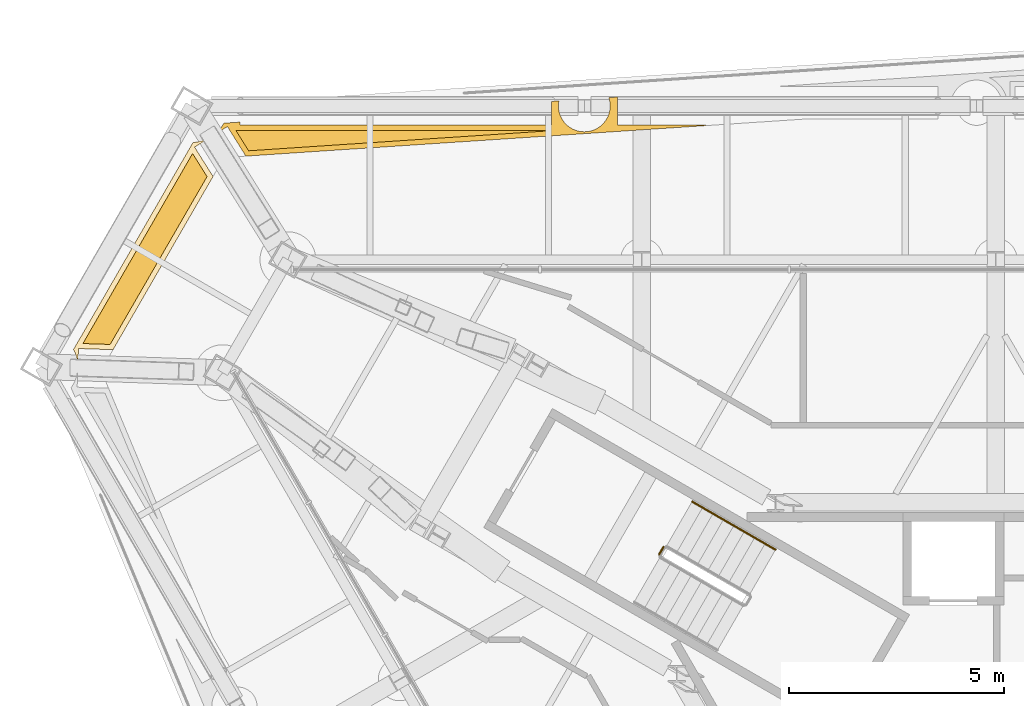
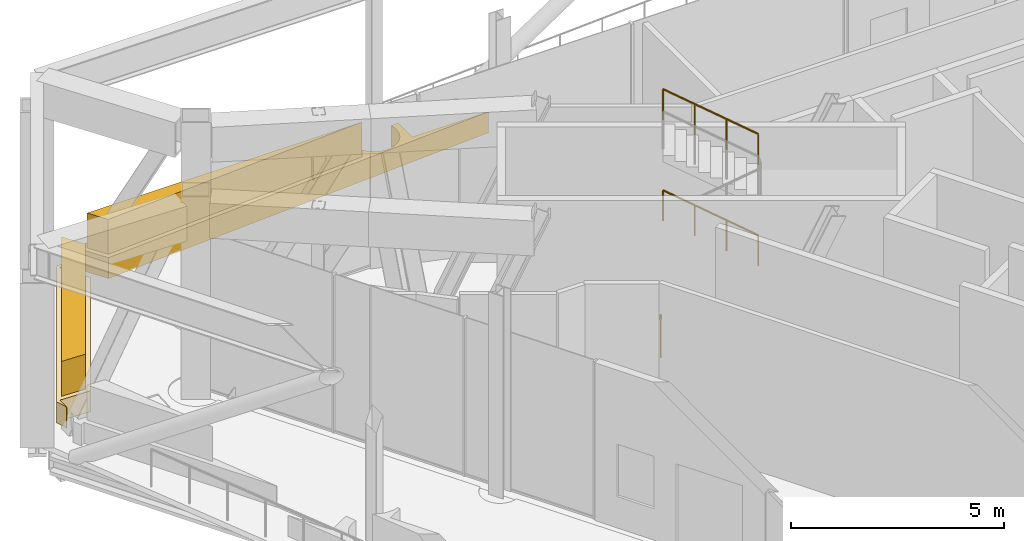
# One storey, part 22 of 25: 4 coverings, 3 railings.
"""IFC4 building model written with IfcOpenShell, lengths in metres."""

from ifc_helpers import new_model, si_unit, direction, frame, origin, origin_2d, place, context, subcontext, project, spatial, polyline, circle, outline, extrude, material, type_object, element, save


model = new_model("IFC4")

# Units and contexts
model_context = context("Model", 3, precision=1e-05, world=origin(), true_north=direction((0.0, 1.0)))
body_context = subcontext(model_context, "Body", "Model", "MODEL_VIEW")
ifc_project = project(units=[si_unit("LENGTHUNIT", "METRE"), si_unit("AREAUNIT", "SQUARE_METRE"), si_unit("VOLUMEUNIT", "CUBIC_METRE"), si_unit("PLANEANGLEUNIT", "RADIAN"), si_unit("MASSUNIT", "GRAM", prefix="KILO")], contexts=[model_context])

# Site, building, storey
site_placement = place(None, origin())
site = spatial("IfcSite", under=ifc_project, at=site_placement, CompositionType="ELEMENT")
building_placement = place(site_placement, origin())
building = spatial("IfcBuilding", under=site, at=building_placement, Name="Verrane Prism Tower", CompositionType="ELEMENT")
storey_placement = place(building_placement, frame((0.0, 0.0, 258.199951171875)))
storey = spatial("IfcBuildingStorey", under=building, at=storey_placement, Name="L65", CompositionType="ELEMENT", Elevation=258.199951171875)

# Coverings
ifc_material_1 = material(Name="Planting medium in stone kerb", Category="masonry")
covering_type_1 = type_object("IfcCoveringType", Name="Planter bed 600", PredefinedType="USERDEFINED", material=ifc_material_1)
covering_1_placement = place(storey_placement, origin())
element("IfcCovering", 1, at=covering_1_placement, inside=storey, type_object=covering_type_1, Name="Planter bed L65 10", ObjectType="PLANTER", PredefinedType="USERDEFINED", context=body_context, shape_type="SweptSolid", body=[
    extrude(outline(polyline([(-22.00830078125, 16.7490234375), (-21.57763671875, 16.060791015625), (-10.863525390625, 16.771728515625), (-10.86376953125, 16.780029296875), (-12.92724609375, 16.780029296875), (-12.92724609375, 17.4365234375), (-13.1298828125, 17.423095703125), (-13.12353515625, 17.40478515625), (-13.109130859375, 17.347412109375), (-13.1005859375, 17.2890625), (-13.09765625, 17.22998046875), (-13.1005859375, 17.1708984375), (-13.109130859375, 17.112548828125), (-13.12353515625, 17.05517578125), (-13.1435546875, 16.99951171875), (-13.168701171875, 16.946044921875), (-13.19921875, 16.895263671875), (-13.234375, 16.847900390625), (-13.27392578125, 16.803955078125), (-13.31787109375, 16.764404296875), (-13.365234375, 16.72900390625), (-13.416015625, 16.69873046875), (-13.469482421875, 16.673583984375), (-13.525146484375, 16.653564453125), (-13.58251953125, 16.63916015625), (-13.64111328125, 16.630615234375), (-13.699951171875, 16.627685546875), (-13.759033203125, 16.630615234375), (-13.8173828125, 16.63916015625), (-13.875, 16.653564453125), (-13.930419921875, 16.673583984375), (-13.98388671875, 16.69873046875), (-14.03466796875, 16.72900390625), (-14.082275390625, 16.764404296875), (-14.1259765625, 16.803955078125), (-14.165771484375, 16.847900390625), (-14.200927734375, 16.895263671875), (-14.231201171875, 16.946044921875), (-14.256591796875, 16.99951171875), (-14.276611328125, 17.05517578125), (-14.290771484375, 17.112548828125), (-14.299560546875, 17.1708984375), (-14.302490234375, 17.22998046875), (-14.299560546875, 17.2890625), (-14.291015625, 17.345947265625), (-14.46142578125, 17.334716796875), (-14.46142578125, 16.780029296875), (-21.710205078125, 16.780029296875), (-21.710205078125, 16.853759765625), (-22.0908203125, 16.82861328125), (-22.13330078125, 16.7578125), (-22.182861328125, 16.69091796875), (-22.239013671875, 16.62890625), (-22.30224609375, 16.571533203125), (-22.298828125, 16.567138671875), (-22.00830078125, 16.7490234375)])), origin(), (0.0, 0.0, 1.0), 0.60009765625),
])
covering_2_placement = place(storey_placement, origin())
element("IfcCovering", 2, at=covering_2_placement, inside=storey, type_object=covering_type_1, Name="Planter bed L65 11", ObjectType="PLANTER", PredefinedType="USERDEFINED", context=body_context, shape_type="SweptSolid", body=[
    extrude(outline(polyline([(-25.5546875, 11.4853515625), (-25.526611328125, 11.40673828125), (-25.50634765625, 11.32568359375), (-25.493408203125, 11.239013671875), (-25.48779296875, 11.2392578125), (-25.4765625, 11.581787109375), (-24.67041015625, 11.554931640625), (-22.342529296875, 15.586669921875), (-22.771240234375, 16.271484375), (-22.483154296875, 16.451904296875), (-22.486572265625, 16.4580078125), (-22.5146484375, 16.444580078125), (-22.59326171875, 16.41650390625), (-22.67431640625, 16.396240234375), (-22.756591796875, 16.384033203125), (-22.807373046875, 16.381591796875), (-24.635009765625, 13.2158203125), (-25.459716796875, 11.78564453125), (-25.460693359375, 11.7861328125), (-25.590576171875, 11.56103515625), (-25.5546875, 11.4853515625)])), origin(), (0.0, 0.0, 1.0), 0.60009765625),
])
ifc_material_2 = material(Name="Planted shrubs and grasses", Category="other")
covering_type_2 = type_object("IfcCoveringType", Name="Planting mass 1000", PredefinedType="USERDEFINED", material=ifc_material_2)
covering_3_placement = place(storey_placement, frame((0.0, 0.0, 0.60009765625)))
element("IfcCovering", 3, at=covering_3_placement, inside=storey, type_object=covering_type_2, Name="Planting L65 10", ObjectType="PLANTING", PredefinedType="USERDEFINED", context=body_context, shape_type="SweptSolid", body=[
    extrude(outline(polyline([(-21.513916015625, 16.185302734375), (-14.359130859375, 16.659912109375), (-21.81103515625, 16.659912109375), (-21.513916015625, 16.185302734375)])), origin(), (0.0, 0.0, 1.0), 1.0),
])
covering_4_placement = place(storey_placement, frame((0.0, 0.0, 0.60009765625)))
element("IfcCovering", 4, at=covering_4_placement, inside=storey, type_object=covering_type_2, Name="Planting L65 11", ObjectType="PLANTING", PredefinedType="USERDEFINED", context=body_context, shape_type="SweptSolid", body=[
    extrude(outline(polyline([(-24.73828125, 11.67724609375), (-22.482666015625, 15.584228515625), (-22.81884765625, 16.12158203125), (-24.53125, 13.156005859375), (-25.37158203125, 11.6982421875), (-24.73828125, 11.67724609375)])), origin(), (0.0, 0.0, 1.0), 1.0),
])

# Railings
ifc_material_3 = material(Name="Steel A36 rail and posts, no infill", Category="steel")
railing_type_1 = type_object("IfcRailingType", Name="Stair guard 1100 steel rail and posts", PredefinedType="GUARDRAIL", material=ifc_material_3)
railing_1_placement = place(storey_placement, frame((-11.957763671875, 6.788330078125, 0.0)))
element("IfcRailing", 5, at=railing_1_placement, inside=storey, type_object=railing_type_1, Name="Stair 2 guard", PredefinedType="GUARDRAIL", context=body_context, shape_type="SweptSolid", body=[
    extrude(circle(Radius=0.02392578125, at=origin_2d()), frame((0.0, 0.0, 1.076171875), z_axis=(0.499158860599, 0.866510491504, 0.0), x_axis=(-0.866510491504, 0.499158860599, 0.0)), (0.0, 0.0, 1.0), 0.199951171875),
    extrude(circle(Radius=0.02099609375, at=origin_2d()), origin(), (0.0, 0.0, 1.0), 1.052001953125),
    extrude(circle(Radius=0.02099609375, at=origin_2d()), frame((0.099853515625, 0.17333984375, 0.0)), (0.0, 0.0, 1.0), 1.052001953125),
])
ifc_material_4 = material(Name="Steel A36 tube", Category="steel")
railing_type_2 = type_object("IfcRailingType", Name="Stair handrail 900 steel tube", PredefinedType="HANDRAIL", material=ifc_material_4)
railing_2_placement = place(storey_placement, frame((-9.249755859375, 6.899169921875, 1.611083984375)))
element("IfcRailing", 6, at=railing_2_placement, inside=storey, type_object=railing_type_2, Name="Stair 2 handrail", PredefinedType="HANDRAIL", context=body_context, shape_type="SweptSolid", body=[
    extrude(circle(Radius=0.02392578125, at=origin_2d()), frame((0.0, 0.0, 0.8759765625), z_axis=(-0.750591231951, 0.433349525609, 0.498819597823), x_axis=(-0.49999608499, -0.866027664105, 0.0)), (0.0, 0.0, 1.0), 2.584228515625),
    extrude(circle(Radius=0.02099609375, at=origin_2d()), origin(), (0.0, 0.0, 1.0), 0.851806640625),
    extrude(circle(Radius=0.02099609375, at=origin_2d()), frame((-0.646484375, 0.373291015625, 0.4296875)), (0.0, 0.0, 1.0), 0.851806640625),
    extrude(circle(Radius=0.02099609375, at=origin_2d()), frame((-1.293212890625, 0.74658203125, 0.859375)), (0.0, 0.0, 1.0), 0.851806640625),
    extrude(circle(Radius=0.02099609375, at=origin_2d()), frame((-1.939697265625, 1.119873046875, 1.2890625)), (0.0, 0.0, 1.0), 0.851806640625),
])
railing_3_placement = place(storey_placement, frame((-9.249755859375, 6.899169921875, 4.51123046875)))
element("IfcRailing", 7, at=railing_3_placement, inside=storey, type_object=railing_type_2, Name="Stair 2 handrail", PredefinedType="HANDRAIL", context=body_context, shape_type="SweptSolid", body=[
    extrude(circle(Radius=0.02392578125, at=origin_2d()), frame((0.0, 0.0, 0.8759765625), z_axis=(-0.750626602855, 0.433369946796, 0.498748626365), x_axis=(-0.49999608499, -0.866027664105, 0.0)), (0.0, 0.0, 1.0), 2.583984375),
    extrude(circle(Radius=0.02099609375, at=origin_2d()), origin(), (0.0, 0.0, 1.0), 0.851806640625),
    extrude(circle(Radius=0.02099609375, at=origin_2d()), frame((-0.646484375, 0.373291015625, 0.4296875)), (0.0, 0.0, 1.0), 0.851806640625),
    extrude(circle(Radius=0.02099609375, at=origin_2d()), frame((-1.293212890625, 0.74658203125, 0.859130859375)), (0.0, 0.0, 1.0), 0.851806640625),
    extrude(circle(Radius=0.02099609375, at=origin_2d()), frame((-1.939697265625, 1.119873046875, 1.288818359375)), (0.0, 0.0, 1.0), 0.851806640625),
])

save(model, "model.ifc")
